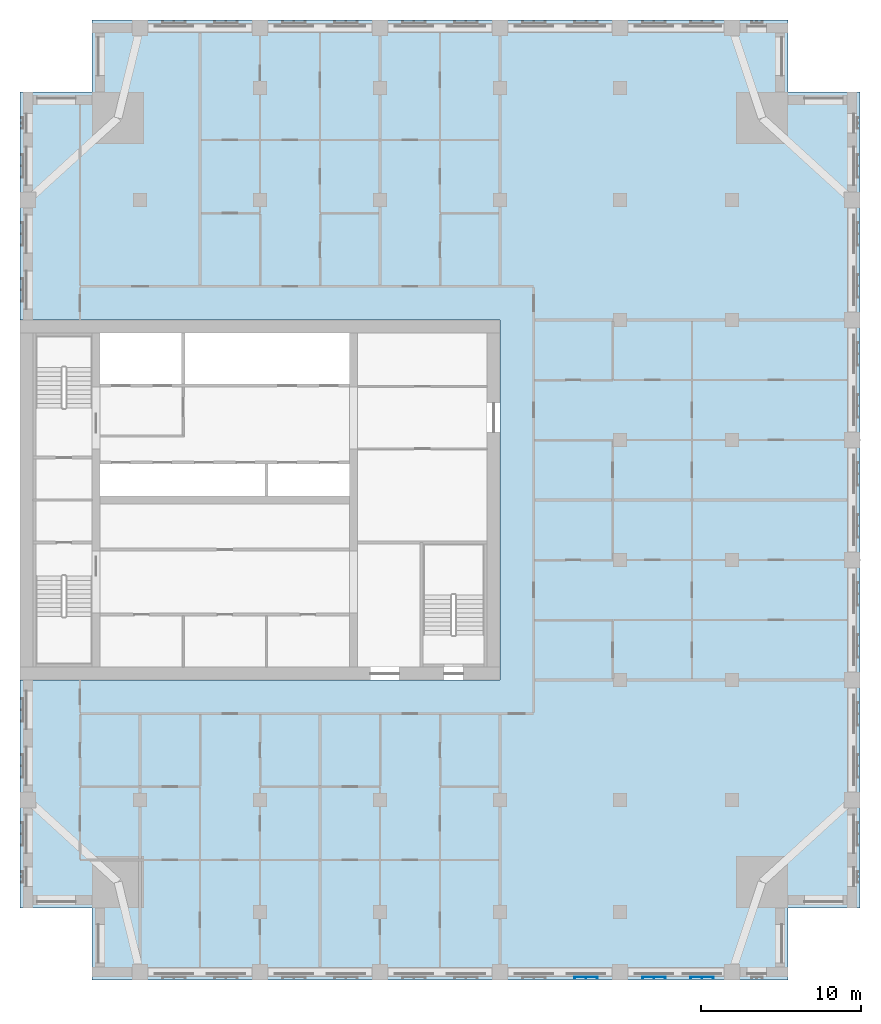
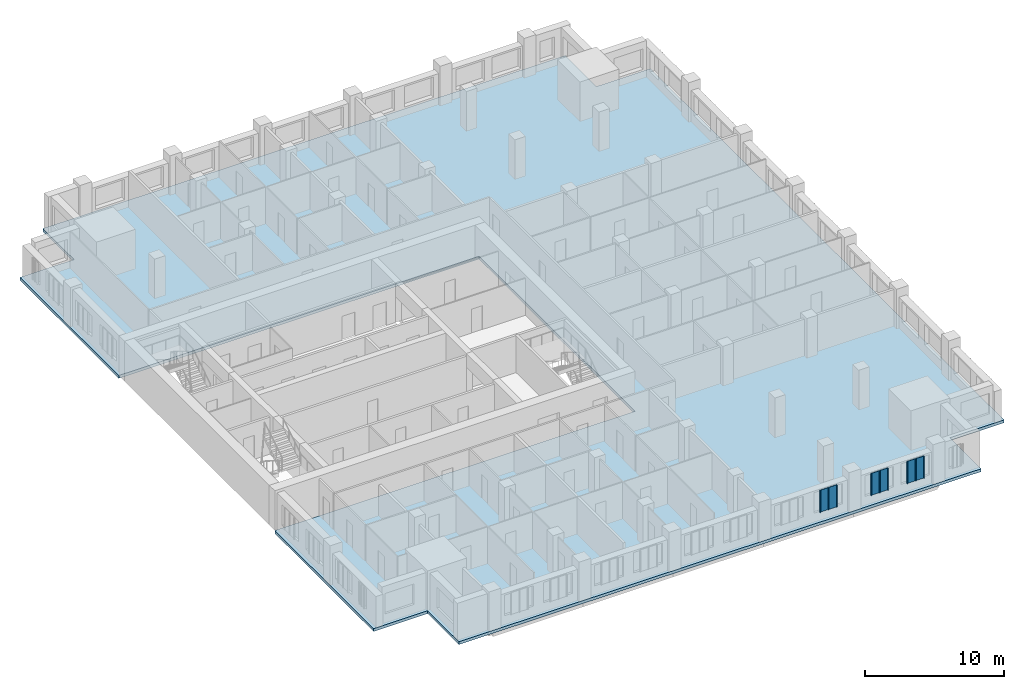
# One storey, part 3 of 14: 3 plates, 1 slab.
"""IFC4 building model written with IfcOpenShell, lengths in metres."""

from ifc_helpers import new_model, si_unit, direction, frame, origin, place, context, subcontext, project, spatial, polyline, outline, extrude, material, layer, layer_set, type_object, element, save


model = new_model("IFC4")

# Units and contexts
model_context = context("Model", 3, precision=1e-05, world=origin(), true_north=direction((0.0, 1.0)))
body_context = subcontext(model_context, "Body", "Model", "MODEL_VIEW")
ifc_project = project(units=[si_unit("LENGTHUNIT", "METRE"), si_unit("AREAUNIT", "SQUARE_METRE"), si_unit("VOLUMEUNIT", "CUBIC_METRE"), si_unit("PLANEANGLEUNIT", "RADIAN"), si_unit("MASSUNIT", "GRAM", prefix="KILO")], contexts=[model_context])

# Site, building, storey
site_placement = place(None, origin())
site = spatial("IfcSite", under=ifc_project, at=site_placement, CompositionType="ELEMENT")
building_placement = place(site_placement, origin())
building = spatial("IfcBuilding", under=site, at=building_placement, Name="Tamorin Gate", CompositionType="ELEMENT")
storey_placement = place(building_placement, frame((0.0, 0.0, 207.199951171875)))
storey = spatial("IfcBuildingStorey", under=building, at=storey_placement, Name="L51", CompositionType="ELEMENT", Elevation=207.199951171875)

# Slab
ifc_material_1 = material(Name="Concrete C40/50", Category="concrete")
ifc_layer_1 = layer(ifc_material_1, 0.25)
ifc_layer_set_1 = layer_set([ifc_layer_1], Name="Floor slab 250 C40/50")
slab_type = type_object("IfcSlabType", Name="Floor slab 250 C40/50", PredefinedType="FLOOR", material=ifc_layer_set_1)
slab_placement = place(storey_placement, frame((0.0, 0.0, -0.25)))
element("IfcSlab", 1, at=slab_placement, inside=storey, type_object=slab_type, Name="Floor L51", PredefinedType="FLOOR", context=body_context, shape_type="SweptSolid", body=[
    extrude(outline(polyline([(30.0, 96.75), (34.5, 96.75), (34.5, 101.25), (78.0, 101.25), (78.0, 96.75), (82.5, 96.75), (82.5, 45.75), (78.0, 45.75), (78.0, 41.25), (34.5, 41.25), (34.5, 45.75), (30.0, 45.75), (30.0, 60.0), (60.0, 60.0), (60.0, 82.5), (30.0, 82.5), (30.0, 96.75)])), origin(), (0.0, 0.0, 1.0), 0.25),
])

# Plates
ifc_material_2 = material(Name="Perforated pale aluminium sheet", Category="aluminium")
ifc_layer_2 = layer(ifc_material_2, 0.0400390625)
ifc_layer_set_2 = layer_set([ifc_layer_2], Name="Pale metal solar screen 1440")
plate_type = type_object("IfcPlateType", Name="Pale metal solar screen 1440", PredefinedType="SHEET", material=ifc_layer_set_2)
plate_1_placement = place(storey_placement, frame((0.0, 0.0, 0.737548828125)))
element("IfcPlate", 2, at=plate_1_placement, inside=storey, type_object=plate_type, Name="Perforated solar screen", PredefinedType="SHEET", context=body_context, shape_type="SweptSolid", body=[
    extrude(outline(polyline([(64.655029296875, 41.409912109375), (64.655029296875, 41.449951171875), (64.715087890625, 41.449951171875), (65.344970703125, 41.449951171875), (65.405029296875, 41.449951171875), (66.034912109375, 41.449951171875), (66.094970703125, 41.449951171875), (66.094970703125, 41.409912109375), (66.094970703125, 41.35009765625), (66.034912109375, 41.35009765625), (66.034912109375, 41.409912109375), (65.405029296875, 41.409912109375), (65.405029296875, 41.35009765625), (65.344970703125, 41.35009765625), (65.344970703125, 41.409912109375), (64.715087890625, 41.409912109375), (64.715087890625, 41.35009765625), (64.655029296875, 41.35009765625), (64.655029296875, 41.409912109375)])), origin(), (0.0, 0.0, 1.0), 1.925048828125),
])
plate_2_placement = place(storey_placement, frame((0.0, 0.0, 0.737548828125)))
element("IfcPlate", 3, at=plate_2_placement, inside=storey, type_object=plate_type, Name="Perforated solar screen", PredefinedType="SHEET", context=body_context, shape_type="SweptSolid", body=[
    extrude(outline(polyline([(68.905029296875, 41.409912109375), (68.905029296875, 41.449951171875), (68.965087890625, 41.449951171875), (69.594970703125, 41.449951171875), (69.655029296875, 41.449951171875), (70.284912109375, 41.449951171875), (70.344970703125, 41.449951171875), (70.344970703125, 41.409912109375), (70.344970703125, 41.35009765625), (70.284912109375, 41.35009765625), (70.284912109375, 41.409912109375), (69.655029296875, 41.409912109375), (69.655029296875, 41.35009765625), (69.594970703125, 41.35009765625), (69.594970703125, 41.409912109375), (68.965087890625, 41.409912109375), (68.965087890625, 41.35009765625), (68.905029296875, 41.35009765625), (68.905029296875, 41.409912109375)])), origin(), (0.0, 0.0, 1.0), 1.925048828125),
])
plate_3_placement = place(storey_placement, frame((0.0, 0.0, 0.737548828125)))
element("IfcPlate", 4, at=plate_3_placement, inside=storey, type_object=plate_type, Name="Perforated solar screen", PredefinedType="SHEET", context=body_context, shape_type="SweptSolid", body=[
    extrude(outline(polyline([(71.905029296875, 41.409912109375), (71.905029296875, 41.449951171875), (71.965087890625, 41.449951171875), (72.594970703125, 41.449951171875), (72.655029296875, 41.449951171875), (73.284912109375, 41.449951171875), (73.344970703125, 41.449951171875), (73.344970703125, 41.409912109375), (73.344970703125, 41.35009765625), (73.284912109375, 41.35009765625), (73.284912109375, 41.409912109375), (72.655029296875, 41.409912109375), (72.655029296875, 41.35009765625), (72.594970703125, 41.35009765625), (72.594970703125, 41.409912109375), (71.965087890625, 41.409912109375), (71.965087890625, 41.35009765625), (71.905029296875, 41.35009765625), (71.905029296875, 41.409912109375)])), origin(), (0.0, 0.0, 1.0), 1.925048828125),
])

save(model, "model.ifc")
